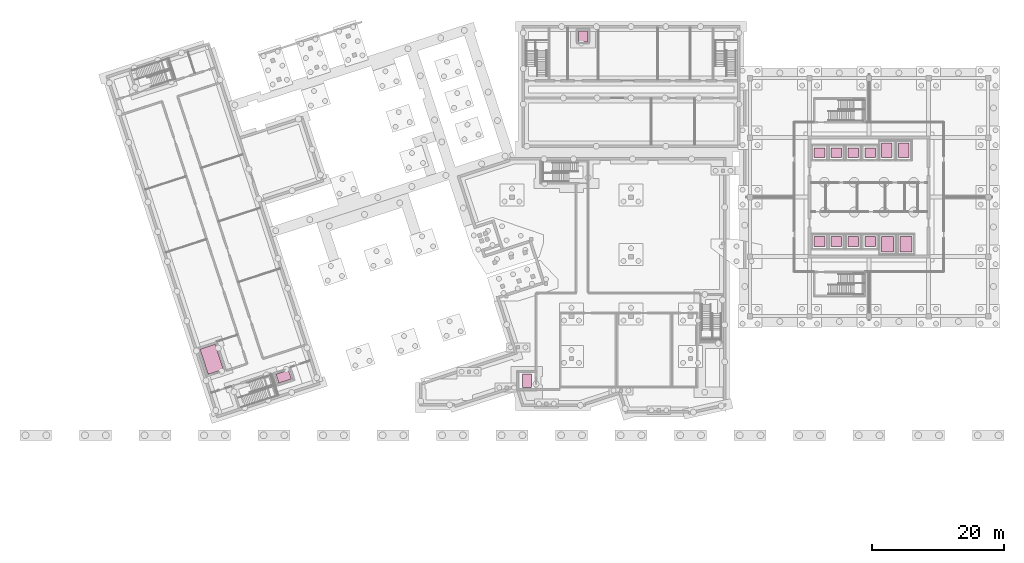
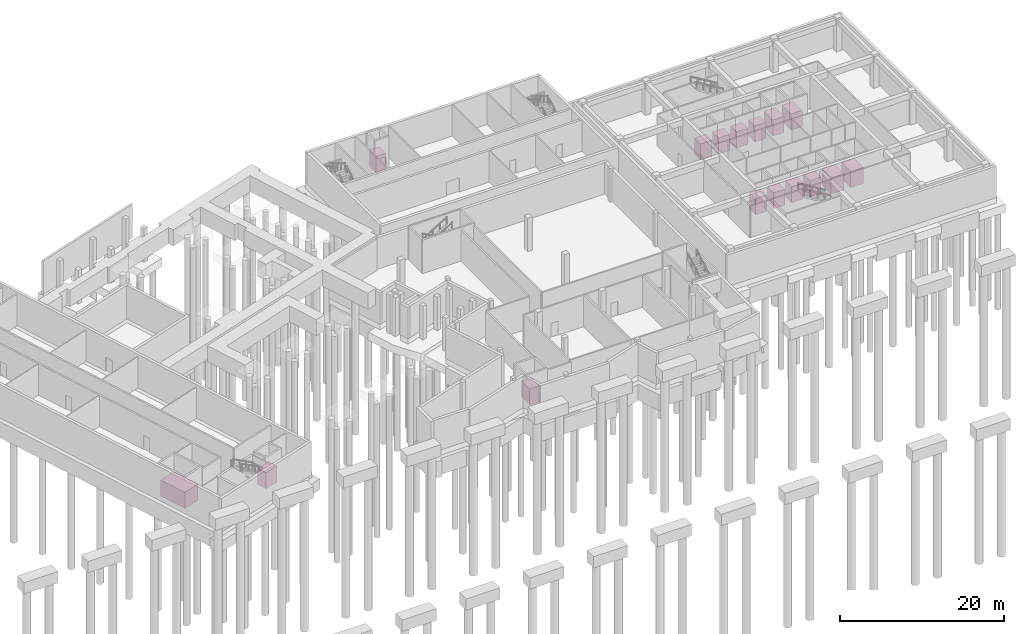
# One storey, part 17 of 17: 16 transport elements.
"""IFC4 building model written with IfcOpenShell, lengths in metres."""

import ifcopenshell
import ifcopenshell.guid

model = None  # the IFC model being written
_history = None  # IfcOwnerHistory: only IFC2X3 demands one
_inside = {}  # id of a spatial element -> (the spatial element, [elements in it])
_under = {}  # id of a project, library or spatial element -> (it, [spatial elements below it])
_declared = {}  # id of a project -> (the project, [libraries it declares])
_typed = {}  # id of a type object -> (the type object, [elements of that type])
_made_of = {}  # id of a material, layer set ... -> (it, [elements and type objects made of it])


def new_model(schema):
    """Start an empty IFC model of exactly this schema.

    Asked for "IFC4X3", IfcOpenShell would pick the latest addendum, in which some entities
    have other attributes; the version numbers below select the first issue.
    IFC2X3 requires an IfcOwnerHistory on every rooted entity: one is made here for all.
    """
    global model, _history
    if schema == "IFC4X3":
        model = ifcopenshell.file(schema_version=(4, 3, 0, 0))
    else:
        model = ifcopenshell.file(schema=schema)
    _inside.clear()
    _under.clear()
    _declared.clear()
    _typed.clear()
    _made_of.clear()
    _history = None
    if model.schema == "IFC2X3":
        org = make("IfcOrganization", Name="unknown")
        user = make(
            "IfcPersonAndOrganization",
            ThePerson=make("IfcPerson", FamilyName="unknown"),
            TheOrganization=org,
        )
        app = make(
            "IfcApplication",
            ApplicationDeveloper=org,
            Version="unknown",
            ApplicationFullName="unknown",
            ApplicationIdentifier="unknown",
        )
        _history = make(
            "IfcOwnerHistory",
            OwningUser=user,
            OwningApplication=app,
            ChangeAction="ADDED",
            CreationDate=0,
        )
    return model


def make(cls, **values):
    """One entity of the class cls with the attributes given. An attribute that is None is left unset."""
    return model.create_entity(
        cls, **{name: value for name, value in values.items() if value is not None}
    )


def rooted(cls, **values):
    """An entity with a GlobalId (a new one), such as an element, a storey or a relation."""
    return make(cls, GlobalId=ifcopenshell.guid.new(), OwnerHistory=_history, **values)


def si_unit(unit_type, name, prefix=None):
    """IfcSIUnit, for example si_unit("LENGTHUNIT", "METRE", prefix="MILLI")."""
    return make("IfcSIUnit", UnitType=unit_type, Prefix=prefix, Name=name)


def assignment(units):
    """IfcUnitAssignment: the units of a project."""
    return None if units is None else make("IfcUnitAssignment", Units=units)


def point(xyz):
    """IfcCartesianPoint."""
    return None if xyz is None else make("IfcCartesianPoint", Coordinates=xyz)


def direction(xyz):
    """IfcDirection."""
    return None if xyz is None else make("IfcDirection", DirectionRatios=xyz)


def frame(location, z_axis=None, x_axis=None):
    """IfcAxis2Placement3D, a coordinate frame: its origin and axes. An axis left out is left unset."""
    return make(
        "IfcAxis2Placement3D",
        Location=point(location),
        Axis=direction(z_axis),
        RefDirection=direction(x_axis),
    )


def frame_2d(location, x_axis=None):
    """IfcAxis2Placement2D, a coordinate frame in the plane: its origin and x axis."""
    return make(
        "IfcAxis2Placement2D", Location=point(location), RefDirection=direction(x_axis)
    )


def origin():
    """The frame at (0, 0, 0) with its axes left unset."""
    return frame((0.0, 0.0, 0.0))


def origin_2d():
    """The frame at (0, 0) in the plane with its x axis left unset."""
    return frame_2d((0.0, 0.0))


def place(relative_to, where):
    """IfcLocalPlacement: puts the frame where relative to a parent placement (None: the world)."""
    return make(
        "IfcLocalPlacement", PlacementRelTo=relative_to, RelativePlacement=where
    )


def context(
    kind, dimensions, precision=None, world=None, true_north=None, identifier=None
):
    """IfcGeometricRepresentationContext, for example the 3D "Model" context."""
    return make(
        "IfcGeometricRepresentationContext",
        ContextIdentifier=identifier,
        ContextType=kind,
        CoordinateSpaceDimension=dimensions,
        Precision=precision,
        WorldCoordinateSystem=world,
        TrueNorth=true_north,
    )


def subcontext(parent, identifier, kind, view, scale=None):
    """IfcGeometricRepresentationSubContext, for example "Body" below "Model"."""
    return make(
        "IfcGeometricRepresentationSubContext",
        ContextIdentifier=identifier,
        ContextType=kind,
        ParentContext=parent,
        TargetScale=scale,
        TargetView=view,
    )


def project(units=None, contexts=None):
    """IfcProject with its units and contexts."""
    return rooted(
        "IfcProject",
        Name="project",
        RepresentationContexts=contexts,
        UnitsInContext=assignment(units),
    )


def spatial(cls, under=None, at=None, **own):
    """A site, building, storey or space (cls), placed at a placement, below another one or the project."""
    s = rooted(cls, ObjectPlacement=at, **own)
    if under is not None:
        _under.setdefault(under.id(), (under, []))[1].append(s)
    return s


def profile(cls, at=None, kind="AREA", **sizes):
    """A parametric profile (cls). Its sizes go by their IFC names, for example OverallWidth=200.0."""
    return make(cls, ProfileType=kind, Position=at, **sizes)


def rectangle(**sizes):
    """IfcRectangleProfileDef."""
    return profile("IfcRectangleProfileDef", **sizes)


def extrude(swept, where, along, depth):
    """IfcExtrudedAreaSolid: the profile swept, set in the frame where, extruded along a direction by depth."""
    return make(
        "IfcExtrudedAreaSolid",
        SweptArea=swept,
        Position=where,
        ExtrudedDirection=direction(along),
        Depth=depth,
    )


def shape(context_of_items, identifier, shape_type, items):
    """IfcShapeRepresentation: the items that make up one representation, for example the "Body"."""
    return make(
        "IfcShapeRepresentation",
        ContextOfItems=context_of_items,
        RepresentationIdentifier=identifier,
        RepresentationType=shape_type,
        Items=items,
    )


def material(Name=None, Category=None):
    """IfcMaterial."""
    return make("IfcMaterial", Name=Name, Category=Category)


def made_of(thing, what):
    """Note that an element or type object is made of a material, layer set ...; save() writes the relation."""
    if what is not None:
        _made_of.setdefault(what.id(), (what, []))[1].append(thing)
    return thing


def type_object(cls, material=None, **own):
    """A type object (cls), such as IfcWallType, which elements share."""
    return made_of(rooted(cls, **own), material)


def element(
    cls,
    number,
    at=None,
    inside=None,
    cuts=None,
    type_object=None,
    material=None,
    context=None,
    identifier="Body",
    shape_type=None,
    held_by="IfcProductDefinitionShape",
    body=None,
    shapes=None,
    **own,
):
    """One element of the class cls, such as IfcWall. Its Tag is "e" and its number.

    at: its placement. inside: the storey or other place that contains it. cuts: it is an
    opening in that element (IfcRelVoidsElement). A single representation is given by context,
    identifier, shape_type and body (its items); several are given by shapes. held_by: the class
    of the entity that holds the representations. save() writes the other relations.
    """
    e = rooted(cls, Tag="e%d" % number, ObjectPlacement=at, **own)
    if body is not None:
        shapes = [shape(context, identifier, shape_type, body)]
    if shapes is not None:
        e.Representation = make(held_by, Representations=shapes)
    if inside is not None:
        _inside.setdefault(inside.id(), (inside, []))[1].append(e)
    if cuts is not None:
        rooted(
            "IfcRelVoidsElement", RelatingBuildingElement=cuts, RelatedOpeningElement=e
        )
    if type_object is not None:
        _typed.setdefault(type_object.id(), (type_object, []))[1].append(e)
    return made_of(e, material)


def aggregate(whole, parts):
    """IfcRelAggregates: a whole, such as a stair, and the parts it consists of."""
    return rooted("IfcRelAggregates", RelatingObject=whole, RelatedObjects=parts)


def save(model, path):
    """Write the relations noted so far, then the file.

    IfcRelAggregates (storeys below a building ...), IfcRelContainedInSpatialStructure (elements
    in a storey), IfcRelDefinesByType, IfcRelAssociatesMaterial and IfcRelDeclares: one each for
    every whole, place, type object, material and project.
    """
    for whole, parts in _under.values():
        aggregate(whole, parts)
    for where, things in _inside.values():
        rooted(
            "IfcRelContainedInSpatialStructure",
            RelatedElements=things,
            RelatingStructure=where,
        )
    for kind, things in _typed.values():
        rooted("IfcRelDefinesByType", RelatedObjects=things, RelatingType=kind)
    for what, things in _made_of.values():
        rooted("IfcRelAssociatesMaterial", RelatedObjects=things, RelatingMaterial=what)
    for by, libraries in _declared.values():
        rooted("IfcRelDeclares", RelatingContext=by, RelatedDefinitions=libraries)
    model.write(path)


model = new_model("IFC4")

# Units and contexts
model_context = context("Model", 3, precision=1e-05, world=origin(), true_north=direction((0.0, 1.0)))
body_context = subcontext(model_context, "Body", "Model", "MODEL_VIEW")
ifc_project = project(units=[si_unit("LENGTHUNIT", "METRE"), si_unit("AREAUNIT", "SQUARE_METRE"), si_unit("VOLUMEUNIT", "CUBIC_METRE"), si_unit("PLANEANGLEUNIT", "RADIAN"), si_unit("MASSUNIT", "GRAM", prefix="KILO")], contexts=[model_context])

# Site, building, storey
site_placement = place(None, origin())
site = spatial("IfcSite", under=ifc_project, at=site_placement, CompositionType="ELEMENT")
building_placement = place(site_placement, origin())
building = spatial("IfcBuilding", under=site, at=building_placement, Name="Tuart Plaza Theatre", CompositionType="ELEMENT")
storey_placement = place(building_placement, frame((0.0, 0.0, -10.0)))
storey = spatial("IfcBuildingStorey", under=building, at=storey_placement, Name="B2", CompositionType="ELEMENT", Elevation=-10.0)

# Transport elements
ifc_material_1 = material(Name="Steel Grade 300", Category="steel")
transport_element_type_1 = type_object("IfcTransportElementType", Name="LIFT CAR 1400x1600", PredefinedType="ELEVATOR", material=ifc_material_1)
transport_element_1_placement = place(storey_placement, frame((88.739990234375, 98.300048828125, 0.0), z_axis=(0.0, 0.0, 1.0), x_axis=(1.0, 0.0, 0.0)))
element("IfcTransportElement", 1, at=transport_element_1_placement, inside=storey, type_object=transport_element_type_1, Name="LX-1", PredefinedType="ELEVATOR", context=body_context, shape_type="SweptSolid", body=[
    extrude(rectangle(XDim=1.39990234375, YDim=1.60009765625, at=origin_2d()), origin(), (0.0, 0.0, 1.0), 2.39990234375),
])
ifc_material_2 = material(Name="Steel Grade 300", Category="steel")
transport_element_type_2 = type_object("IfcTransportElementType", Name="LIFT CAR 1400x2000", PredefinedType="ELEVATOR", material=ifc_material_2)
transport_element_2_placement = place(storey_placement, frame((80.25, 46.25, 0.0), z_axis=(0.0, 0.0, 1.0), x_axis=(1.0, 0.0, 0.0)))
element("IfcTransportElement", 2, at=transport_element_2_placement, inside=storey, type_object=transport_element_type_2, Name="LB-1", PredefinedType="ELEVATOR", context=body_context, shape_type="SweptSolid", body=[
    extrude(rectangle(XDim=1.39990234375, YDim=2.0, at=origin_2d()), origin(), (0.0, 0.0, 1.0), 2.39990234375),
])
ifc_material_3 = material(Name="Steel Grade 300", Category="steel")
transport_element_type_3 = type_object("IfcTransportElementType", Name="LIFT CAR 1600x1500", PredefinedType="ELEVATOR", material=ifc_material_3)
for number, where, z_axis, x_axis, name in (
    (3, (124.5, 67.27490234375, 0.0), (0.0, 0.0, 1.0), (1.0, 0.0, 0.0), "LC-1"),
    (4, (127.050048828125, 67.27490234375, 0.0), (0.0, 0.0, 1.0), (1.0, 0.0, 0.0), "LC-2"),
    (5, (129.60009765625, 67.27490234375, 0.0), (0.0, 0.0, 1.0), (1.0, 0.0, 0.0), "LC-3"),
    (6, (132.14990234375, 67.27490234375, 0.0), (0.0, 0.0, 1.0), (1.0, 0.0, 0.0), "LC-4"),
    (7, (124.5, 80.72509765625, 0.0), (0.0, 0.0, 1.0), (1.0, 0.0, 0.0), "LC-5"),
    (8, (127.050048828125, 80.72509765625, 0.0), (0.0, 0.0, 1.0), (1.0, 0.0, 0.0), "LC-6"),
    (9, (129.60009765625, 80.72509765625, 0.0), (0.0, 0.0, 1.0), (1.0, 0.0, 0.0), "LC-7"),
    (10, (132.14990234375, 80.72509765625, 0.0), (0.0, 0.0, 1.0), (1.0, 0.0, 0.0), "LC-8"),
):
    element("IfcTransportElement", number, at=place(storey_placement, frame(where, z_axis=z_axis, x_axis=x_axis)), inside=storey, type_object=transport_element_type_3, Name=name, PredefinedType="ELEVATOR", context=body_context, shape_type="SweptSolid", body=[
        extrude(rectangle(XDim=1.60009765625, YDim=1.5, at=origin_2d()), origin(), (0.0, 0.0, 1.0), 2.39990234375),
    ])
ifc_material_4 = material(Name="Steel Grade 300", Category="steel")
transport_element_type_4 = type_object("IfcTransportElementType", Name="LIFT CAR 1600x2200", PredefinedType="ELEVATOR", material=ifc_material_4)
for number, where, z_axis, x_axis, name in (
    (11, (134.699951171875, 81.074951171875, 0.0), (0.0, 0.0, 1.0), (1.0, 0.0, 0.0), "LC-11"),
    (12, (137.25, 81.074951171875, 0.0), (0.0, 0.0, 1.0), (1.0, 0.0, 0.0), "LC-12"),
):
    element("IfcTransportElement", number, at=place(storey_placement, frame(where, z_axis=z_axis, x_axis=x_axis)), inside=storey, type_object=transport_element_type_4, Name=name, PredefinedType="ELEVATOR", context=body_context, shape_type="SweptSolid", body=[
        extrude(rectangle(XDim=1.60009765625, YDim=2.199951171875, at=origin_2d()), origin(), (0.0, 0.0, 1.0), 2.39990234375),
    ])
ifc_material_5 = material(Name="Steel Grade 300", Category="steel")
transport_element_type_5 = type_object("IfcTransportElementType", Name="LIFT CAR 1800x2300", PredefinedType="ELEVATOR", material=ifc_material_5)
for number, where, z_axis, x_axis, name in (
    (13, (134.800048828125, 66.875, 0.0), (0.0, 0.0, 1.0), (1.0, 0.0, 0.0), "LC-9"),
    (14, (137.550048828125, 66.875, 0.0), (0.0, 0.0, 1.0), (1.0, 0.0, 0.0), "LC-10"),
):
    element("IfcTransportElement", number, at=place(storey_placement, frame(where, z_axis=z_axis, x_axis=x_axis)), inside=storey, type_object=transport_element_type_5, Name=name, PredefinedType="ELEVATOR", context=body_context, shape_type="SweptSolid", body=[
        extrude(rectangle(XDim=1.800048828125, YDim=2.300048828125, at=origin_2d()), origin(), (0.0, 0.0, 1.0), 2.39990234375),
    ])
ifc_material_6 = material(Name="Steel Grade 300", Category="steel")
transport_element_type_6 = type_object("IfcTransportElementType", Name="LIFT CAR 2000x1400", PredefinedType="ELEVATOR", material=ifc_material_6)
transport_element_3_placement = place(storey_placement, frame((43.47509765625, 46.8720703125, 0.0), z_axis=(0.0, 0.0, 1.0), x_axis=(0.951056516295, 0.309016994375, 0.0)))
element("IfcTransportElement", 15, at=transport_element_3_placement, inside=storey, type_object=transport_element_type_6, Name="LA-1", PredefinedType="ELEVATOR", context=body_context, shape_type="SweptSolid", body=[
    extrude(rectangle(XDim=2.0, YDim=1.39990234375, at=origin_2d()), origin(), (0.0, 0.0, 1.0), 2.39990234375),
])
ifc_material_7 = material(Name="Steel Grade 300", Category="steel")
transport_element_type_7 = type_object("IfcTransportElementType", Name="LIFT CAR 2400x4000", PredefinedType="ELEVATOR", material=ifc_material_7)
transport_element_4_placement = place(storey_placement, frame((32.584716796875, 49.484619140625, 0.0), z_axis=(0.0, 0.0, 1.0), x_axis=(0.951056516295, 0.309016994375, 0.0)))
element("IfcTransportElement", 16, at=transport_element_4_placement, inside=storey, type_object=transport_element_type_7, Name="LA-2", PredefinedType="ELEVATOR", context=body_context, shape_type="SweptSolid", body=[
    extrude(rectangle(XDim=2.39990234375, YDim=4.0, at=origin_2d()), origin(), (0.0, 0.0, 1.0), 2.39990234375),
])

save(model, "model.ifc")
